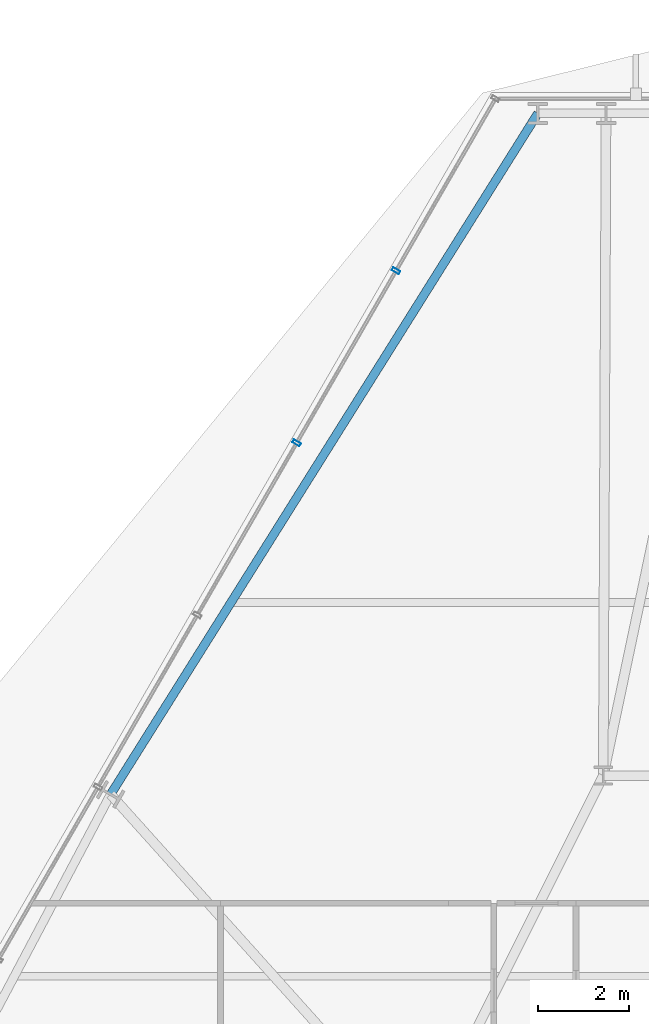
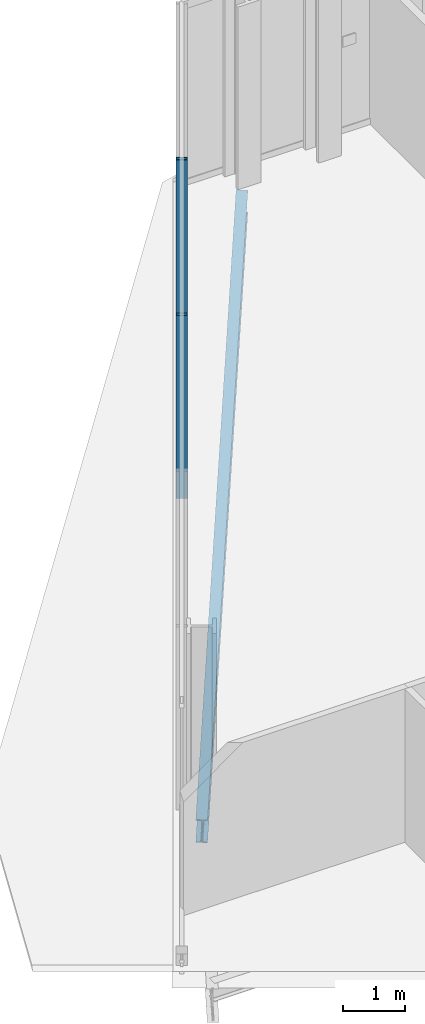
# One storey, part 22 of 36: 2 members, 1 beam, 1 element without a shape of its own.
"""IFC4 building model written with IfcOpenShell, lengths in metres."""

from ifc_helpers import new_model, si_unit, direction, frame, origin, origin_2d, place, context, subcontext, project, spatial, hollow_rectangle, i_section, extrude, material, layer, layer_set, material_profile, profile_set, type_object, element, aggregate, save


model = new_model("IFC4")

# Units and contexts
model_context = context("Model", 3, precision=1e-05, world=origin(), true_north=direction((0.0, 1.0)))
body_context = subcontext(model_context, "Body", "Model", "MODEL_VIEW")
ifc_project = project(units=[si_unit("LENGTHUNIT", "METRE"), si_unit("AREAUNIT", "SQUARE_METRE"), si_unit("VOLUMEUNIT", "CUBIC_METRE"), si_unit("PLANEANGLEUNIT", "RADIAN"), si_unit("MASSUNIT", "GRAM", prefix="KILO")], contexts=[model_context])

# Site, building, storey
site_placement = place(None, origin())
site = spatial("IfcSite", under=ifc_project, at=site_placement, CompositionType="ELEMENT")
building_placement = place(site_placement, origin())
building = spatial("IfcBuilding", under=site, at=building_placement, Name="Ndaravel Arena Tower", CompositionType="ELEMENT")
storey_placement = place(building_placement, frame((0.0, 0.0, 127.0)))
storey = spatial("IfcBuildingStorey", under=building, at=storey_placement, Name="L29", CompositionType="ELEMENT", Elevation=127.0)

# Beam
ifc_material_1 = material(Name="Steel S355", Category="steel")
ifc_material_profile_1 = material_profile(ifc_material_1, i_section(OverallWidth=0.18994140625, OverallDepth=0.449951171875, WebThickness=0.009521484375, FlangeThickness=0.0146484375, FilletRadius=0.02099609375, at=origin_2d()), Name="IPE 450")
ifc_profile_set_1 = profile_set([ifc_material_profile_1], Name="Steel S355")
beam_type = type_object("IfcBeamType", Name="BM-SPAN-IPE450", PredefinedType="SPANDREL", material=ifc_profile_set_1)
beam_placement = place(storey_placement, frame((36.765625, 45.736083984375, -0.445068359375), z_axis=(-0.531434619656, -0.847099312378, 0.0), x_axis=(0.847099312378, -0.531434619656, 0.0)))
element("IfcBeam", 1, at=beam_placement, inside=storey, type_object=beam_type, Name="L29 Perimeter Spandrel Beam SP-18", PredefinedType="SPANDREL", context=body_context, shape_type="SweptSolid", body=[
    extrude(i_section(OverallWidth=0.18994140625, OverallDepth=0.449951171875, WebThickness=0.009521484375, FlangeThickness=0.0146484375, FilletRadius=0.02099609375, at=origin_2d()), origin(), (0.0, 0.0, 1.0), 17.6455078125),
])

# Curtain wall, members
ifc_material_2 = material(Name="Aluminium", Category="aluminium")
ifc_layer = layer(ifc_material_2, 0.179931640625)
ifc_layer_set = layer_set([ifc_layer], Name="Aluminium")
curtain_wall_type = type_object("IfcCurtainWallType", Name="CW-SYS-03", PredefinedType="NOTDEFINED", material=ifc_layer_set)
curtain_wall_placement = place(storey_placement, origin())
curtain_wall = element("IfcCurtainWall", 2, at=curtain_wall_placement, inside=storey, type_object=curtain_wall_type, Name="L29 Faceted Crystal Curtain Wall CW-L29-E05", PredefinedType="NOTDEFINED")
ifc_material_3 = material(Name="Aluminium", Category="aluminium")
ifc_material_profile_2 = material_profile(ifc_material_3, hollow_rectangle(XDim=0.074951171875, YDim=0.179931640625, WallThickness=0.00390625, at=origin_2d()), Name="CW MULLION 75x180x4")
ifc_profile_set_2 = profile_set([ifc_material_profile_2], Name="Aluminium")
member_type = type_object("IfcMemberType", Name="MEM-CW-MUL180", PredefinedType="MULLION", material=ifc_profile_set_2)
member_1_placement = place(storey_placement, frame((33.652587890625, 42.279296875, 0.0), z_axis=(0.0, 0.0, 1.0), x_axis=(-0.5, -0.866025403784, 0.0)))
member_1 = element("IfcMember", 3, at=member_1_placement, type_object=member_type, Name="CW-L29-E05 Mullion 01", PredefinedType="MULLION", context=body_context, shape_type="SweptSolid", body=[
    extrude(hollow_rectangle(XDim=0.074951171875, YDim=0.179931640625, WallThickness=0.00390625, at=origin_2d()), origin(), (0.0, 0.0, 1.0), 3.580078125),
])
member_2_placement = place(storey_placement, frame((31.47216796875, 38.502197265625, 0.0), z_axis=(0.0, 0.0, 1.0), x_axis=(-0.5, -0.866025403784, 0.0)))
member_2 = element("IfcMember", 4, at=member_2_placement, type_object=member_type, Name="CW-L29-E05 Mullion 02", PredefinedType="MULLION", context=body_context, shape_type="SweptSolid", body=[
    extrude(hollow_rectangle(XDim=0.074951171875, YDim=0.179931640625, WallThickness=0.00390625, at=origin_2d()), origin(), (0.0, 0.0, 1.0), 3.580078125),
])
aggregate(curtain_wall, [member_1, member_2])

save(model, "model.ifc")
